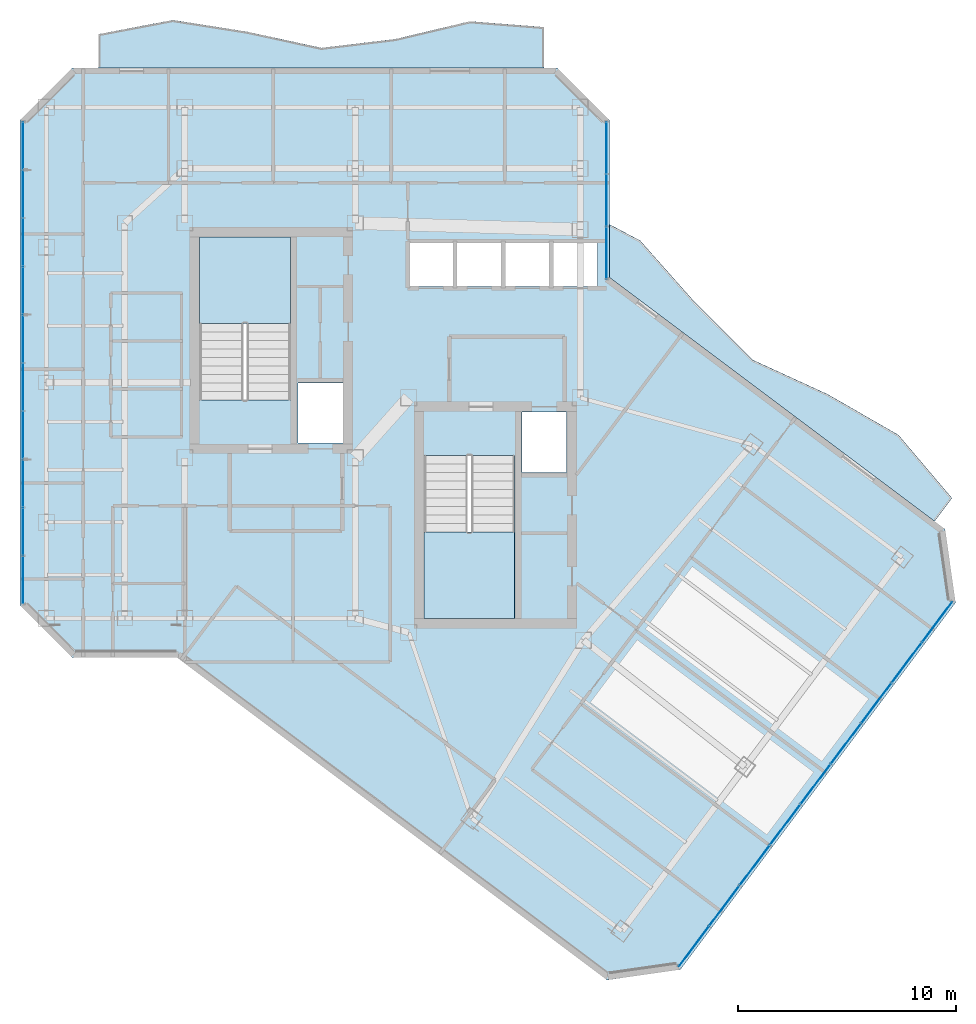
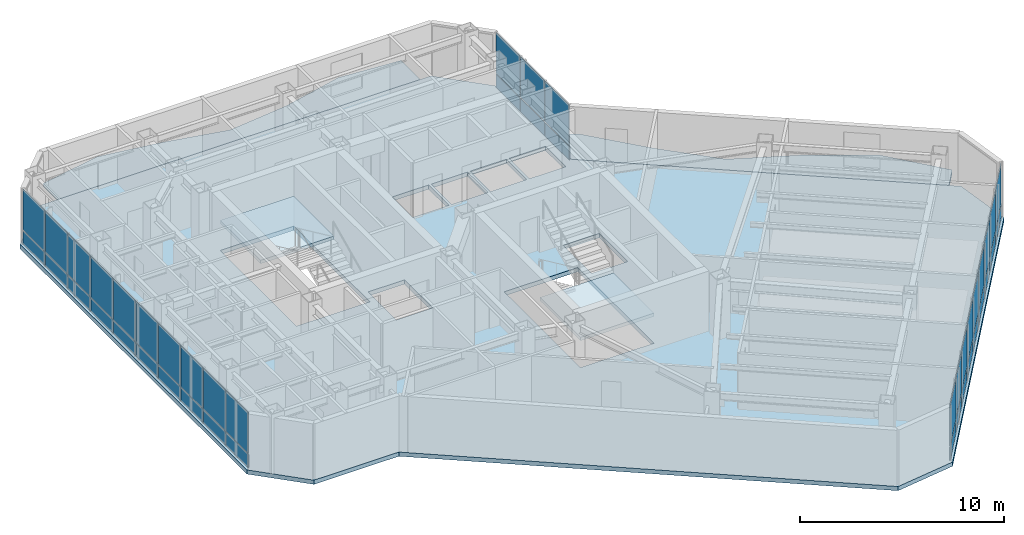
# One storey, part 18 of 26: 44 plates, 5 slabs, 5 elements without a shape of their own.
"""IFC4 building model written with IfcOpenShell, lengths in metres."""

from ifc_helpers import new_model, si_unit, direction, frame, origin, origin_2d, place, context, subcontext, project, spatial, polyline, rectangle, outline, extrude, material, layer, layer_set, type_object, element, aggregate, save


model = new_model("IFC4")

# Units and contexts
model_context = context("Model", 3, precision=1e-05, world=origin(), true_north=direction((0.0, 1.0)))
body_context = subcontext(model_context, "Body", "Model", "MODEL_VIEW")
ifc_project = project(units=[si_unit("LENGTHUNIT", "METRE"), si_unit("AREAUNIT", "SQUARE_METRE"), si_unit("VOLUMEUNIT", "CUBIC_METRE"), si_unit("PLANEANGLEUNIT", "RADIAN"), si_unit("MASSUNIT", "GRAM", prefix="KILO")], contexts=[model_context])

# Site, building, storey
site_placement = place(None, origin())
site = spatial("IfcSite", under=ifc_project, at=site_placement, CompositionType="ELEMENT")
building_placement = place(site_placement, origin())
building = spatial("IfcBuilding", under=site, at=building_placement, Name="Hatsunagi Terrace Concourse", CompositionType="ELEMENT")
storey_placement = place(building_placement, frame((0.0, 0.0, 209.550048828125)))
storey = spatial("IfcBuildingStorey", under=building, at=storey_placement, Name="L55", CompositionType="ELEMENT", Elevation=209.550048828125)

# Curtain wall, plates
ifc_material_1 = material(Name="Anodised Aluminium Alloy 6063-T5", Category="aluminium")
ifc_layer_1 = layer(ifc_material_1, 0.199951171875)
ifc_layer_set_1 = layer_set([ifc_layer_1], Name="OfficeZone2_CW04")
curtain_wall_type = type_object("IfcCurtainWallType", Name="OfficeZone2_CW04", PredefinedType="NOTDEFINED", material=ifc_layer_set_1)
curtain_wall_1_placement = place(storey_placement, origin())
curtain_wall_1 = element("IfcCurtainWall", 1, at=curtain_wall_1_placement, inside=storey, type_object=curtain_wall_type, Name="Unitised Curtain Wall CW-04 CW-L55-03", PredefinedType="NOTDEFINED")
ifc_material_2 = material(Name="Warm Terracotta Ceramic Spandrel Panel", Category="masonry")
ifc_layer_2 = layer(ifc_material_2, 0.031982421875)
ifc_layer_set_2 = layer_set([ifc_layer_2], Name="CurtainWallSpandrelPanel_32")
plate_type_1 = type_object("IfcPlateType", Name="CurtainWallSpandrelPanel_32", PredefinedType="SHEET", material=ifc_layer_set_2)
plate_1_placement = place(storey_placement, frame((59.9970703125, 25.030029296875, 0.030029296875), z_axis=(0.0, 0.0, 1.0), x_axis=(-0.599969314634, -0.800023013105, 0.0)))
plate_1 = element("IfcPlate", 2, at=plate_1_placement, type_object=plate_type_1, Name="Terracotta Spandrel Panel SPN-01", PredefinedType="SHEET", context=body_context, shape_type="SweptSolid", body=[
    extrude(rectangle(XDim=2.264892578125, YDim=0.031982421875, at=origin_2d()), origin(), (0.0, 0.0, 1.0), 0.7900390625),
])
plate_2_placement = place(storey_placement, frame((58.60498046875, 23.173095703125, 0.030029296875), z_axis=(0.0, 0.0, 1.0), x_axis=(-0.599969314634, -0.800023013105, 0.0)))
plate_2 = element("IfcPlate", 3, at=plate_2_placement, type_object=plate_type_1, Name="Terracotta Spandrel Panel SPN-01", PredefinedType="SHEET", context=body_context, shape_type="SweptSolid", body=[
    extrude(rectangle(XDim=2.264892578125, YDim=0.031982421875, at=origin_2d()), origin(), (0.0, 0.0, 1.0), 0.7900390625),
])
plate_3_placement = place(storey_placement, frame((57.2119140625, 21.31689453125, 0.030029296875), z_axis=(0.0, 0.0, 1.0), x_axis=(-0.599969314634, -0.800023013105, 0.0)))
plate_3 = element("IfcPlate", 4, at=plate_3_placement, type_object=plate_type_1, Name="Terracotta Spandrel Panel SPN-01", PredefinedType="SHEET", context=body_context, shape_type="SweptSolid", body=[
    extrude(rectangle(XDim=2.264892578125, YDim=0.031982421875, at=origin_2d()), origin(), (0.0, 0.0, 1.0), 0.7900390625),
])
plate_4_placement = place(storey_placement, frame((55.820068359375, 19.4599609375, 0.030029296875), z_axis=(0.0, 0.0, 1.0), x_axis=(-0.599969314634, -0.800023013105, 0.0)))
plate_4 = element("IfcPlate", 5, at=plate_4_placement, type_object=plate_type_1, Name="Terracotta Spandrel Panel SPN-01", PredefinedType="SHEET", context=body_context, shape_type="SweptSolid", body=[
    extrude(rectangle(XDim=2.264892578125, YDim=0.031982421875, at=origin_2d()), origin(), (0.0, 0.0, 1.0), 0.7900390625),
])
plate_5_placement = place(storey_placement, frame((54.427978515625, 17.60400390625, 0.030029296875), z_axis=(0.0, 0.0, 1.0), x_axis=(-0.599969314634, -0.800023013105, 0.0)))
plate_5 = element("IfcPlate", 6, at=plate_5_placement, type_object=plate_type_1, Name="Terracotta Spandrel Panel SPN-01", PredefinedType="SHEET", context=body_context, shape_type="SweptSolid", body=[
    extrude(rectangle(XDim=2.264892578125, YDim=0.031982421875, at=origin_2d()), origin(), (0.0, 0.0, 1.0), 0.7900390625),
])
plate_6_placement = place(storey_placement, frame((53.035888671875, 15.748046875, 0.030029296875), z_axis=(0.0, 0.0, 1.0), x_axis=(-0.599969314634, -0.800023013105, 0.0)))
plate_6 = element("IfcPlate", 7, at=plate_6_placement, type_object=plate_type_1, Name="Terracotta Spandrel Panel SPN-01", PredefinedType="SHEET", context=body_context, shape_type="SweptSolid", body=[
    extrude(rectangle(XDim=2.264892578125, YDim=0.031982421875, at=origin_2d()), origin(), (0.0, 0.0, 1.0), 0.7900390625),
])
plate_7_placement = place(storey_placement, frame((51.64404296875, 13.89111328125, 0.030029296875), z_axis=(0.0, 0.0, 1.0), x_axis=(-0.599969314634, -0.800023013105, 0.0)))
plate_7 = element("IfcPlate", 8, at=plate_7_placement, type_object=plate_type_1, Name="Terracotta Spandrel Panel SPN-01", PredefinedType="SHEET", context=body_context, shape_type="SweptSolid", body=[
    extrude(rectangle(XDim=2.264892578125, YDim=0.031982421875, at=origin_2d()), origin(), (0.0, 0.0, 1.0), 0.7900390625),
])
plate_8_placement = place(storey_placement, frame((50.2509765625, 12.034912109375, 0.030029296875), z_axis=(0.0, 0.0, 1.0), x_axis=(-0.599969314634, -0.800023013105, 0.0)))
plate_8 = element("IfcPlate", 9, at=plate_8_placement, type_object=plate_type_1, Name="Terracotta Spandrel Panel SPN-01", PredefinedType="SHEET", context=body_context, shape_type="SweptSolid", body=[
    extrude(rectangle(XDim=2.264892578125, YDim=0.031982421875, at=origin_2d()), origin(), (0.0, 0.0, 1.0), 0.7900390625),
])
plate_9_placement = place(storey_placement, frame((48.85888671875, 10.177978515625, 0.030029296875), z_axis=(0.0, 0.0, 1.0), x_axis=(-0.599969314634, -0.800023013105, 0.0)))
plate_9 = element("IfcPlate", 10, at=plate_9_placement, type_object=plate_type_1, Name="Terracotta Spandrel Panel SPN-01", PredefinedType="SHEET", context=body_context, shape_type="SweptSolid", body=[
    extrude(rectangle(XDim=2.264892578125, YDim=0.031982421875, at=origin_2d()), origin(), (0.0, 0.0, 1.0), 0.7900390625),
])

curtain_wall_2_placement = place(storey_placement, origin())
curtain_wall_2 = element("IfcCurtainWall", 11, at=curtain_wall_2_placement, inside=storey, type_object=curtain_wall_type, Name="Unitised Curtain Wall CW-04 CW-L55-08", PredefinedType="NOTDEFINED")
plate_10_placement = place(storey_placement, frame((18.139892578125, 26.9619140625, 0.030029296875), z_axis=(0.0, 0.0, 1.0), x_axis=(0.0, 1.0, 0.0)))
plate_10 = element("IfcPlate", 12, at=plate_10_placement, type_object=plate_type_1, Name="Terracotta Spandrel Panel SPN-01", PredefinedType="SHEET", context=body_context, shape_type="SweptSolid", body=[
    extrude(rectangle(XDim=2.153076171875, YDim=0.031982421875, at=origin_2d()), origin(), (0.0, 0.0, 1.0), 0.7900390625),
])
plate_11_placement = place(storey_placement, frame((18.139892578125, 29.1708984375, 0.030029296875), z_axis=(0.0, 0.0, 1.0), x_axis=(0.0, 1.0, 0.0)))
plate_11 = element("IfcPlate", 13, at=plate_11_placement, type_object=plate_type_1, Name="Terracotta Spandrel Panel SPN-01", PredefinedType="SHEET", context=body_context, shape_type="SweptSolid", body=[
    extrude(rectangle(XDim=2.153076171875, YDim=0.031982421875, at=origin_2d()), origin(), (0.0, 0.0, 1.0), 0.7900390625),
])
plate_12_placement = place(storey_placement, frame((18.139892578125, 31.37890625, 0.030029296875), z_axis=(0.0, 0.0, 1.0), x_axis=(0.0, 1.0, 0.0)))
plate_12 = element("IfcPlate", 14, at=plate_12_placement, type_object=plate_type_1, Name="Terracotta Spandrel Panel SPN-01", PredefinedType="SHEET", context=body_context, shape_type="SweptSolid", body=[
    extrude(rectangle(XDim=2.153076171875, YDim=0.031982421875, at=origin_2d()), origin(), (0.0, 0.0, 1.0), 0.7900390625),
])
plate_13_placement = place(storey_placement, frame((18.139892578125, 33.5869140625, 0.030029296875), z_axis=(0.0, 0.0, 1.0), x_axis=(0.0, 1.0, 0.0)))
plate_13 = element("IfcPlate", 15, at=plate_13_placement, type_object=plate_type_1, Name="Terracotta Spandrel Panel SPN-01", PredefinedType="SHEET", context=body_context, shape_type="SweptSolid", body=[
    extrude(rectangle(XDim=2.153076171875, YDim=0.031982421875, at=origin_2d()), origin(), (0.0, 0.0, 1.0), 0.7900390625),
])
plate_14_placement = place(storey_placement, frame((18.139892578125, 35.7958984375, 0.030029296875), z_axis=(0.0, 0.0, 1.0), x_axis=(0.0, 1.0, 0.0)))
plate_14 = element("IfcPlate", 16, at=plate_14_placement, type_object=plate_type_1, Name="Terracotta Spandrel Panel SPN-01", PredefinedType="SHEET", context=body_context, shape_type="SweptSolid", body=[
    extrude(rectangle(XDim=2.153076171875, YDim=0.031982421875, at=origin_2d()), origin(), (0.0, 0.0, 1.0), 0.7900390625),
])
plate_15_placement = place(storey_placement, frame((18.139892578125, 38.00390625, 0.030029296875), z_axis=(0.0, 0.0, 1.0), x_axis=(0.0, 1.0, 0.0)))
plate_15 = element("IfcPlate", 17, at=plate_15_placement, type_object=plate_type_1, Name="Terracotta Spandrel Panel SPN-01", PredefinedType="SHEET", context=body_context, shape_type="SweptSolid", body=[
    extrude(rectangle(XDim=2.153076171875, YDim=0.031982421875, at=origin_2d()), origin(), (0.0, 0.0, 1.0), 0.7900390625),
])
plate_16_placement = place(storey_placement, frame((18.139892578125, 40.212890625, 0.030029296875), z_axis=(0.0, 0.0, 1.0), x_axis=(0.0, 1.0, 0.0)))
plate_16 = element("IfcPlate", 18, at=plate_16_placement, type_object=plate_type_1, Name="Terracotta Spandrel Panel SPN-01", PredefinedType="SHEET", context=body_context, shape_type="SweptSolid", body=[
    extrude(rectangle(XDim=2.153076171875, YDim=0.031982421875, at=origin_2d()), origin(), (0.0, 0.0, 1.0), 0.7900390625),
])
plate_17_placement = place(storey_placement, frame((18.139892578125, 42.4208984375, 0.030029296875), z_axis=(0.0, 0.0, 1.0), x_axis=(0.0, 1.0, 0.0)))
plate_17 = element("IfcPlate", 19, at=plate_17_placement, type_object=plate_type_1, Name="Terracotta Spandrel Panel SPN-01", PredefinedType="SHEET", context=body_context, shape_type="SweptSolid", body=[
    extrude(rectangle(XDim=2.153076171875, YDim=0.031982421875, at=origin_2d()), origin(), (0.0, 0.0, 1.0), 0.7900390625),
])
plate_18_placement = place(storey_placement, frame((18.139892578125, 44.62890625, 0.030029296875), z_axis=(0.0, 0.0, 1.0), x_axis=(0.0, 1.0, 0.0)))
plate_18 = element("IfcPlate", 20, at=plate_18_placement, type_object=plate_type_1, Name="Terracotta Spandrel Panel SPN-01", PredefinedType="SHEET", context=body_context, shape_type="SweptSolid", body=[
    extrude(rectangle(XDim=2.153076171875, YDim=0.031982421875, at=origin_2d()), origin(), (0.0, 0.0, 1.0), 0.7900390625),
])
plate_19_placement = place(storey_placement, frame((18.139892578125, 46.837890625, 0.030029296875), z_axis=(0.0, 0.0, 1.0), x_axis=(0.0, 1.0, 0.0)))
plate_19 = element("IfcPlate", 21, at=plate_19_placement, type_object=plate_type_1, Name="Terracotta Spandrel Panel SPN-01", PredefinedType="SHEET", context=body_context, shape_type="SweptSolid", body=[
    extrude(rectangle(XDim=2.153076171875, YDim=0.031982421875, at=origin_2d()), origin(), (0.0, 0.0, 1.0), 0.7900390625),
])

curtain_wall_3_placement = place(storey_placement, origin())
curtain_wall_3 = element("IfcCurtainWall", 22, at=curtain_wall_3_placement, inside=storey, type_object=curtain_wall_type, Name="Unitised Curtain Wall CW-04 CW-L55-12", PredefinedType="NOTDEFINED")
plate_20_placement = place(storey_placement, frame((44.860107421875, 46.739990234375, 0.030029296875), z_axis=(0.0, 0.0, 1.0), x_axis=(0.0, -1.0, 0.0)))
plate_20 = element("IfcPlate", 23, at=plate_20_placement, type_object=plate_type_1, Name="Terracotta Spandrel Panel SPN-01", PredefinedType="SHEET", context=body_context, shape_type="SweptSolid", body=[
    extrude(rectangle(XDim=2.34912109375, YDim=0.031982421875, at=origin_2d()), origin(), (0.0, 0.0, 1.0), 0.7900390625),
])
plate_21_placement = place(storey_placement, frame((44.860107421875, 44.3359375, 0.030029296875), z_axis=(0.0, 0.0, 1.0), x_axis=(0.0, -1.0, 0.0)))
plate_21 = element("IfcPlate", 24, at=plate_21_placement, type_object=plate_type_1, Name="Terracotta Spandrel Panel SPN-01", PredefinedType="SHEET", context=body_context, shape_type="SweptSolid", body=[
    extrude(rectangle(XDim=2.34912109375, YDim=0.031982421875, at=origin_2d()), origin(), (0.0, 0.0, 1.0), 0.7900390625),
])
plate_22_placement = place(storey_placement, frame((44.860107421875, 41.931884765625, 0.030029296875), z_axis=(0.0, 0.0, 1.0), x_axis=(0.0, -1.0, 0.0)))
plate_22 = element("IfcPlate", 25, at=plate_22_placement, type_object=plate_type_1, Name="Terracotta Spandrel Panel SPN-01", PredefinedType="SHEET", context=body_context, shape_type="SweptSolid", body=[
    extrude(rectangle(XDim=2.34912109375, YDim=0.031982421875, at=origin_2d()), origin(), (0.0, 0.0, 1.0), 0.7900390625),
])

# Plate
ifc_material_3 = material(Name="Low-E Double Insulating Glass 28mm", Category="glass")
ifc_layer_3 = layer(ifc_material_3, 0.028076171875)
ifc_layer_set_3 = layer_set([ifc_layer_3], Name="CurtainWallVisionGlass_28")
plate_type_2 = type_object("IfcPlateType", Name="CurtainWallVisionGlass_28", PredefinedType="CURTAIN_PANEL", material=ifc_layer_set_3)
plate_23_placement = place(storey_placement, frame((59.9970703125, 25.030029296875, 0.8798828125), z_axis=(0.0, 0.0, 1.0), x_axis=(-0.599969314634, -0.800023013105, 0.0)))
plate_23 = element("IfcPlate", 26, at=plate_23_placement, type_object=plate_type_2, Name="Low-E Vision Glass Panel GLZ-01", PredefinedType="CURTAIN_PANEL", context=body_context, shape_type="SweptSolid", body=[
    extrude(rectangle(XDim=2.264892578125, YDim=0.028076171875, at=origin_2d()), origin(), (0.0, 0.0, 1.0), 2.43994140625),
])

plate_24_placement = place(storey_placement, frame((58.60498046875, 23.173095703125, 0.8798828125), z_axis=(0.0, 0.0, 1.0), x_axis=(-0.599969314634, -0.800023013105, 0.0)))
plate_24 = element("IfcPlate", 27, at=plate_24_placement, type_object=plate_type_2, Name="Low-E Vision Glass Panel GLZ-01", PredefinedType="CURTAIN_PANEL", context=body_context, shape_type="SweptSolid", body=[
    extrude(rectangle(XDim=2.264892578125, YDim=0.028076171875, at=origin_2d()), origin(), (0.0, 0.0, 1.0), 2.43994140625),
])

plate_25_placement = place(storey_placement, frame((57.2119140625, 21.31689453125, 0.8798828125), z_axis=(0.0, 0.0, 1.0), x_axis=(-0.599969314634, -0.800023013105, 0.0)))
plate_25 = element("IfcPlate", 28, at=plate_25_placement, type_object=plate_type_2, Name="Low-E Vision Glass Panel GLZ-01", PredefinedType="CURTAIN_PANEL", context=body_context, shape_type="SweptSolid", body=[
    extrude(rectangle(XDim=2.264892578125, YDim=0.028076171875, at=origin_2d()), origin(), (0.0, 0.0, 1.0), 2.43994140625),
])

plate_26_placement = place(storey_placement, frame((55.820068359375, 19.4599609375, 0.8798828125), z_axis=(0.0, 0.0, 1.0), x_axis=(-0.599969314634, -0.800023013105, 0.0)))
plate_26 = element("IfcPlate", 29, at=plate_26_placement, type_object=plate_type_2, Name="Low-E Vision Glass Panel GLZ-01", PredefinedType="CURTAIN_PANEL", context=body_context, shape_type="SweptSolid", body=[
    extrude(rectangle(XDim=2.264892578125, YDim=0.028076171875, at=origin_2d()), origin(), (0.0, 0.0, 1.0), 2.43994140625),
])

plate_27_placement = place(storey_placement, frame((54.427978515625, 17.60400390625, 0.8798828125), z_axis=(0.0, 0.0, 1.0), x_axis=(-0.599969314634, -0.800023013105, 0.0)))
plate_27 = element("IfcPlate", 30, at=plate_27_placement, type_object=plate_type_2, Name="Low-E Vision Glass Panel GLZ-01", PredefinedType="CURTAIN_PANEL", context=body_context, shape_type="SweptSolid", body=[
    extrude(rectangle(XDim=2.264892578125, YDim=0.028076171875, at=origin_2d()), origin(), (0.0, 0.0, 1.0), 2.43994140625),
])

plate_28_placement = place(storey_placement, frame((53.035888671875, 15.748046875, 0.8798828125), z_axis=(0.0, 0.0, 1.0), x_axis=(-0.599969314634, -0.800023013105, 0.0)))
plate_28 = element("IfcPlate", 31, at=plate_28_placement, type_object=plate_type_2, Name="Low-E Vision Glass Panel GLZ-01", PredefinedType="CURTAIN_PANEL", context=body_context, shape_type="SweptSolid", body=[
    extrude(rectangle(XDim=2.264892578125, YDim=0.028076171875, at=origin_2d()), origin(), (0.0, 0.0, 1.0), 2.43994140625),
])

plate_29_placement = place(storey_placement, frame((51.64404296875, 13.89111328125, 0.8798828125), z_axis=(0.0, 0.0, 1.0), x_axis=(-0.599969314634, -0.800023013105, 0.0)))
plate_29 = element("IfcPlate", 32, at=plate_29_placement, type_object=plate_type_2, Name="Low-E Vision Glass Panel GLZ-01", PredefinedType="CURTAIN_PANEL", context=body_context, shape_type="SweptSolid", body=[
    extrude(rectangle(XDim=2.264892578125, YDim=0.028076171875, at=origin_2d()), origin(), (0.0, 0.0, 1.0), 2.43994140625),
])

plate_30_placement = place(storey_placement, frame((50.2509765625, 12.034912109375, 0.8798828125), z_axis=(0.0, 0.0, 1.0), x_axis=(-0.599969314634, -0.800023013105, 0.0)))
plate_30 = element("IfcPlate", 33, at=plate_30_placement, type_object=plate_type_2, Name="Low-E Vision Glass Panel GLZ-01", PredefinedType="CURTAIN_PANEL", context=body_context, shape_type="SweptSolid", body=[
    extrude(rectangle(XDim=2.264892578125, YDim=0.028076171875, at=origin_2d()), origin(), (0.0, 0.0, 1.0), 2.43994140625),
])

plate_31_placement = place(storey_placement, frame((48.85888671875, 10.177978515625, 0.8798828125), z_axis=(0.0, 0.0, 1.0), x_axis=(-0.599969314634, -0.800023013105, 0.0)))
plate_31 = element("IfcPlate", 34, at=plate_31_placement, type_object=plate_type_2, Name="Low-E Vision Glass Panel GLZ-01", PredefinedType="CURTAIN_PANEL", context=body_context, shape_type="SweptSolid", body=[
    extrude(rectangle(XDim=2.264892578125, YDim=0.028076171875, at=origin_2d()), origin(), (0.0, 0.0, 1.0), 2.43994140625),
])

aggregate(curtain_wall_1, [plate_1, plate_23, plate_2, plate_24, plate_3, plate_25, plate_4, plate_26, plate_5, plate_27, plate_6, plate_28, plate_7, plate_29, plate_8, plate_30, plate_9, plate_31])

plate_32_placement = place(storey_placement, frame((18.139892578125, 26.9619140625, 0.8798828125), z_axis=(0.0, 0.0, 1.0), x_axis=(0.0, 1.0, 0.0)))
plate_32 = element("IfcPlate", 35, at=plate_32_placement, type_object=plate_type_2, Name="Low-E Vision Glass Panel GLZ-01", PredefinedType="CURTAIN_PANEL", context=body_context, shape_type="SweptSolid", body=[
    extrude(rectangle(XDim=2.153076171875, YDim=0.028076171875, at=origin_2d()), origin(), (0.0, 0.0, 1.0), 2.43994140625),
])

plate_33_placement = place(storey_placement, frame((18.139892578125, 29.1708984375, 0.8798828125), z_axis=(0.0, 0.0, 1.0), x_axis=(0.0, 1.0, 0.0)))
plate_33 = element("IfcPlate", 36, at=plate_33_placement, type_object=plate_type_2, Name="Low-E Vision Glass Panel GLZ-01", PredefinedType="CURTAIN_PANEL", context=body_context, shape_type="SweptSolid", body=[
    extrude(rectangle(XDim=2.153076171875, YDim=0.028076171875, at=origin_2d()), origin(), (0.0, 0.0, 1.0), 2.43994140625),
])

plate_34_placement = place(storey_placement, frame((18.139892578125, 31.37890625, 0.8798828125), z_axis=(0.0, 0.0, 1.0), x_axis=(0.0, 1.0, 0.0)))
plate_34 = element("IfcPlate", 37, at=plate_34_placement, type_object=plate_type_2, Name="Low-E Vision Glass Panel GLZ-01", PredefinedType="CURTAIN_PANEL", context=body_context, shape_type="SweptSolid", body=[
    extrude(rectangle(XDim=2.153076171875, YDim=0.028076171875, at=origin_2d()), origin(), (0.0, 0.0, 1.0), 2.43994140625),
])

plate_35_placement = place(storey_placement, frame((18.139892578125, 33.5869140625, 0.8798828125), z_axis=(0.0, 0.0, 1.0), x_axis=(0.0, 1.0, 0.0)))
plate_35 = element("IfcPlate", 38, at=plate_35_placement, type_object=plate_type_2, Name="Low-E Vision Glass Panel GLZ-01", PredefinedType="CURTAIN_PANEL", context=body_context, shape_type="SweptSolid", body=[
    extrude(rectangle(XDim=2.153076171875, YDim=0.028076171875, at=origin_2d()), origin(), (0.0, 0.0, 1.0), 2.43994140625),
])

plate_36_placement = place(storey_placement, frame((18.139892578125, 35.7958984375, 0.8798828125), z_axis=(0.0, 0.0, 1.0), x_axis=(0.0, 1.0, 0.0)))
plate_36 = element("IfcPlate", 39, at=plate_36_placement, type_object=plate_type_2, Name="Low-E Vision Glass Panel GLZ-01", PredefinedType="CURTAIN_PANEL", context=body_context, shape_type="SweptSolid", body=[
    extrude(rectangle(XDim=2.153076171875, YDim=0.028076171875, at=origin_2d()), origin(), (0.0, 0.0, 1.0), 2.43994140625),
])

plate_37_placement = place(storey_placement, frame((18.139892578125, 38.00390625, 0.8798828125), z_axis=(0.0, 0.0, 1.0), x_axis=(0.0, 1.0, 0.0)))
plate_37 = element("IfcPlate", 40, at=plate_37_placement, type_object=plate_type_2, Name="Low-E Vision Glass Panel GLZ-01", PredefinedType="CURTAIN_PANEL", context=body_context, shape_type="SweptSolid", body=[
    extrude(rectangle(XDim=2.153076171875, YDim=0.028076171875, at=origin_2d()), origin(), (0.0, 0.0, 1.0), 2.43994140625),
])

plate_38_placement = place(storey_placement, frame((18.139892578125, 40.212890625, 0.8798828125), z_axis=(0.0, 0.0, 1.0), x_axis=(0.0, 1.0, 0.0)))
plate_38 = element("IfcPlate", 41, at=plate_38_placement, type_object=plate_type_2, Name="Low-E Vision Glass Panel GLZ-01", PredefinedType="CURTAIN_PANEL", context=body_context, shape_type="SweptSolid", body=[
    extrude(rectangle(XDim=2.153076171875, YDim=0.028076171875, at=origin_2d()), origin(), (0.0, 0.0, 1.0), 2.43994140625),
])

plate_39_placement = place(storey_placement, frame((18.139892578125, 42.4208984375, 0.8798828125), z_axis=(0.0, 0.0, 1.0), x_axis=(0.0, 1.0, 0.0)))
plate_39 = element("IfcPlate", 42, at=plate_39_placement, type_object=plate_type_2, Name="Low-E Vision Glass Panel GLZ-01", PredefinedType="CURTAIN_PANEL", context=body_context, shape_type="SweptSolid", body=[
    extrude(rectangle(XDim=2.153076171875, YDim=0.028076171875, at=origin_2d()), origin(), (0.0, 0.0, 1.0), 2.43994140625),
])

plate_40_placement = place(storey_placement, frame((18.139892578125, 44.62890625, 0.8798828125), z_axis=(0.0, 0.0, 1.0), x_axis=(0.0, 1.0, 0.0)))
plate_40 = element("IfcPlate", 43, at=plate_40_placement, type_object=plate_type_2, Name="Low-E Vision Glass Panel GLZ-01", PredefinedType="CURTAIN_PANEL", context=body_context, shape_type="SweptSolid", body=[
    extrude(rectangle(XDim=2.153076171875, YDim=0.028076171875, at=origin_2d()), origin(), (0.0, 0.0, 1.0), 2.43994140625),
])

plate_41_placement = place(storey_placement, frame((18.139892578125, 46.837890625, 0.8798828125), z_axis=(0.0, 0.0, 1.0), x_axis=(0.0, 1.0, 0.0)))
plate_41 = element("IfcPlate", 44, at=plate_41_placement, type_object=plate_type_2, Name="Low-E Vision Glass Panel GLZ-01", PredefinedType="CURTAIN_PANEL", context=body_context, shape_type="SweptSolid", body=[
    extrude(rectangle(XDim=2.153076171875, YDim=0.028076171875, at=origin_2d()), origin(), (0.0, 0.0, 1.0), 2.43994140625),
])

aggregate(curtain_wall_2, [plate_10, plate_32, plate_11, plate_33, plate_12, plate_34, plate_13, plate_35, plate_14, plate_36, plate_15, plate_37, plate_16, plate_38, plate_17, plate_39, plate_18, plate_40, plate_19, plate_41])

plate_42_placement = place(storey_placement, frame((44.860107421875, 46.739990234375, 0.8798828125), z_axis=(0.0, 0.0, 1.0), x_axis=(0.0, -1.0, 0.0)))
plate_42 = element("IfcPlate", 45, at=plate_42_placement, type_object=plate_type_2, Name="Low-E Vision Glass Panel GLZ-01", PredefinedType="CURTAIN_PANEL", context=body_context, shape_type="SweptSolid", body=[
    extrude(rectangle(XDim=2.34912109375, YDim=0.028076171875, at=origin_2d()), origin(), (0.0, 0.0, 1.0), 2.43994140625),
])

plate_43_placement = place(storey_placement, frame((44.860107421875, 44.3359375, 0.8798828125), z_axis=(0.0, 0.0, 1.0), x_axis=(0.0, -1.0, 0.0)))
plate_43 = element("IfcPlate", 46, at=plate_43_placement, type_object=plate_type_2, Name="Low-E Vision Glass Panel GLZ-01", PredefinedType="CURTAIN_PANEL", context=body_context, shape_type="SweptSolid", body=[
    extrude(rectangle(XDim=2.34912109375, YDim=0.028076171875, at=origin_2d()), origin(), (0.0, 0.0, 1.0), 2.43994140625),
])

plate_44_placement = place(storey_placement, frame((44.860107421875, 41.931884765625, 0.8798828125), z_axis=(0.0, 0.0, 1.0), x_axis=(0.0, -1.0, 0.0)))
plate_44 = element("IfcPlate", 47, at=plate_44_placement, type_object=plate_type_2, Name="Low-E Vision Glass Panel GLZ-01", PredefinedType="CURTAIN_PANEL", context=body_context, shape_type="SweptSolid", body=[
    extrude(rectangle(XDim=2.34912109375, YDim=0.028076171875, at=origin_2d()), origin(), (0.0, 0.0, 1.0), 2.43994140625),
])

aggregate(curtain_wall_3, [plate_20, plate_42, plate_21, plate_43, plate_22, plate_44])

# Stair, slab
ifc_material_4 = material(Name="Concrete Fc42", Category="concrete")
stair_type = type_object("IfcStairType", Name="DoglegExitStair_Tower2000_20R_180", PredefinedType="HALF_TURN_STAIR", material=ifc_material_4)
stair_1_placement = place(storey_placement, origin())
stair_1 = element("IfcStair", 48, at=stair_1_placement, inside=storey, type_object=stair_type, Name="L55 Core A Protected Exit Stair ST-A", PredefinedType="HALF_TURN_STAIR")
ifc_material_5 = material(Name="Concrete Fc42", Category="concrete")
ifc_layer_4 = layer(ifc_material_5, 0.199951171875)
ifc_layer_set_4 = layer_set([ifc_layer_4], Name="DoglegStairLanding_Tower2000")
slab_type_1 = type_object("IfcSlabType", Name="DoglegStairLanding_Tower2000", PredefinedType="LANDING", material=ifc_layer_set_4)
slab_1_placement = place(storey_placement, frame((0.0, 0.0, 1.599853515625)))
slab_1 = element("IfcSlab", 49, at=slab_1_placement, type_object=slab_type_1, Name="ST-A landing 1", PredefinedType="LANDING", context=body_context, shape_type="SweptSolid", body=[
    extrude(outline(polyline([(30.3798828125, 38.7099609375), (30.3798828125, 42.659912109375), (26.22998046875, 42.659912109375), (26.22998046875, 38.7099609375), (30.3798828125, 38.7099609375)])), origin(), (0.0, 0.0, 1.0), 0.2001953125),
])
aggregate(stair_1, [slab_1])

stair_2_placement = place(storey_placement, origin())
stair_2 = element("IfcStair", 50, at=stair_2_placement, inside=storey, type_object=stair_type, Name="L55 Core B Protected Exit Stair ST-B", PredefinedType="HALF_TURN_STAIR")
slab_2_placement = place(storey_placement, frame((0.0, 0.0, 1.599853515625)))
slab_2 = element("IfcSlab", 51, at=slab_2_placement, type_object=slab_type_1, Name="ST-B landing 1", PredefinedType="LANDING", context=body_context, shape_type="SweptSolid", body=[
    extrude(outline(polyline([(36.5, 29.14990234375), (36.5, 25.199951171875), (40.64990234375, 25.199951171875), (40.64990234375, 29.14990234375), (36.5, 29.14990234375)])), origin(), (0.0, 0.0, 1.0), 0.2001953125),
])
aggregate(stair_2, [slab_2])

# Slabs
ifc_material_6 = material(Name="Concrete Fc42", Category="concrete")
ifc_layer_5 = layer(ifc_material_6, 0.199951171875)
ifc_layer_set_5 = layer_set([ifc_layer_5], Name="EngawaBalconySlab_Fc42_200")
slab_type_2 = type_object("IfcSlabType", Name="EngawaBalconySlab_Fc42_200", PredefinedType="FLOOR", material=ifc_layer_set_5)
slab_3_placement = place(storey_placement, frame((0.0, 0.0, -0.199951171875)))
element("IfcSlab", 52, at=slab_3_placement, inside=storey, type_object=slab_type_2, Name="Engawa Balcony Slab BAL-L55-BN", PredefinedType="FLOOR", context=body_context, shape_type="SweptSolid", body=[
    extrude(outline(polyline([(21.60009765625, 51.949951171875), (21.60009765625, 50.39990234375), (42.0, 50.39990234375), (42.0, 52.27490234375), (38.60009765625, 52.5390625), (35.199951171875, 51.72802734375), (31.800048828125, 51.322021484375), (28.39990234375, 52.06298828125), (25.0, 52.597900390625), (21.60009765625, 51.949951171875)])), origin(), (0.0, 0.0, 1.0), 0.199951171875),
])
slab_4_placement = place(storey_placement, frame((0.0, 0.0, -0.199951171875)))
element("IfcSlab", 53, at=slab_4_placement, inside=storey, type_object=slab_type_2, Name="Engawa Balcony Slab BAL-L55-BSE", PredefinedType="FLOOR", context=body_context, shape_type="SweptSolid", body=[
    extrude(outline(polyline([(46.39697265625, 42.49609375), (44.99609375, 43.236083984375), (44.99609375, 40.802978515625), (59.8798828125, 29.639892578125), (60.677001953125, 30.701904296875), (58.221923828125, 33.595947265625), (54.990966796875, 35.455078125), (51.549072265625, 37.031982421875), (48.902099609375, 39.669921875), (46.39697265625, 42.49609375)])), origin(), (0.0, 0.0, 1.0), 0.199951171875),
])
ifc_material_7 = material(Name="Concrete Fc42", Category="concrete")
ifc_layer_6 = layer(ifc_material_7, 0.25)
ifc_layer_set_6 = layer_set([ifc_layer_6], Name="OfficeCrownSlab_Fc42_250")
slab_type_3 = type_object("IfcSlabType", Name="OfficeCrownSlab_Fc42_250", PredefinedType="FLOOR", material=ifc_layer_set_6)
slab_5_placement = place(storey_placement, frame((0.0, 0.0, -0.25)))
element("IfcSlab", 54, at=slab_5_placement, inside=storey, type_object=slab_type_3, Name="Floor Slab SL-250 L55", PredefinedType="FLOOR", context=body_context, shape_type="SweptSolid", body=[
    extrude(outline(polyline([(45.0, 40.800048828125), (45.0, 48.0), (42.60009765625, 50.39990234375), (20.39990234375, 50.39990234375), (18.0, 48.0), (18.0, 25.800048828125), (20.39990234375, 23.39990234375), (25.199951171875, 23.39990234375), (44.8798828125, 8.639892578125), (48.239990234375, 9.1201171875), (60.840087890625, 25.919921875), (60.360107421875, 29.280029296875), (45.0, 40.800048828125)]), holes=[polyline([(26.22998046875, 35.205078125), (30.3798828125, 35.205078125), (30.3798828125, 42.659912109375), (26.22998046875, 42.659912109375), (26.22998046875, 35.205078125)]), polyline([(36.5, 25.199951171875), (40.64990234375, 25.199951171875), (40.64990234375, 32.655029296875), (36.5, 32.655029296875), (36.5, 25.199951171875)]), polyline([(30.719970703125, 33.219970703125), (32.780029296875, 33.219970703125), (32.780029296875, 35.97998046875), (30.719970703125, 35.97998046875), (30.719970703125, 33.219970703125)]), polyline([(40.97998046875, 31.8798828125), (43.02001953125, 31.8798828125), (43.02001953125, 34.639892578125), (40.97998046875, 34.639892578125), (40.97998046875, 31.8798828125)]), polyline([(35.800048828125, 40.39990234375), (37.85009765625, 40.39990234375), (37.85009765625, 42.39990234375), (35.800048828125, 42.39990234375), (35.800048828125, 40.39990234375)]), polyline([(38.0, 40.39990234375), (40.050048828125, 40.39990234375), (40.050048828125, 42.39990234375), (38.0, 42.39990234375), (38.0, 40.39990234375)]), polyline([(40.199951171875, 40.39990234375), (42.25, 40.39990234375), (42.25, 42.39990234375), (40.199951171875, 42.39990234375), (40.199951171875, 40.39990234375)]), polyline([(42.39990234375, 40.39990234375), (44.449951171875, 40.39990234375), (44.449951171875, 42.39990234375), (42.39990234375, 42.39990234375), (42.39990234375, 40.39990234375)])]), origin(), (0.0, 0.0, 1.0), 0.25),
])

save(model, "model.ifc")
